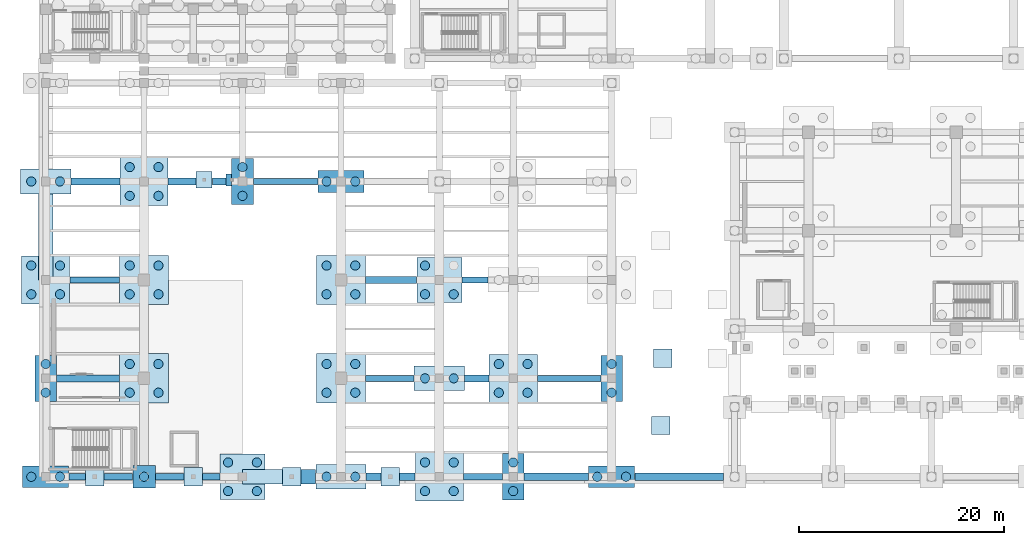
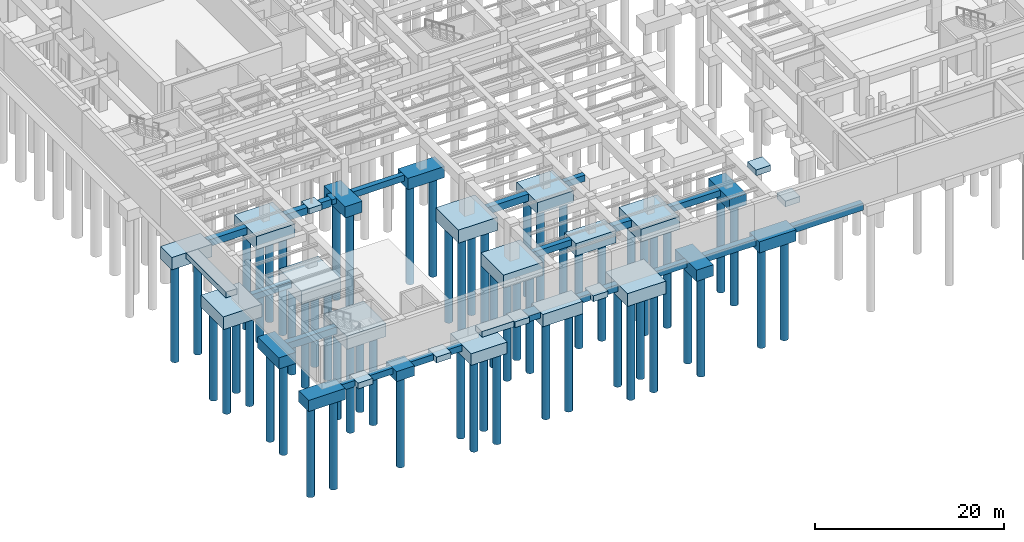
# One storey, part 1 of 56: 60 piles, 52 footings.
"""IFC4 building model written with IfcOpenShell, lengths in metres."""

from ifc_helpers import new_model, si_unit, direction, frame, origin, origin_2d, place, context, subcontext, project, spatial, rectangle, circle, extrude, material, material_profile, profile_set, type_object, element, save


model = new_model("IFC4")

# Units and contexts
model_context = context("Model", 3, precision=1e-05, world=origin(), true_north=direction((0.0, 1.0)))
body_context = subcontext(model_context, "Body", "Model", "MODEL_VIEW")
ifc_project = project(units=[si_unit("LENGTHUNIT", "METRE"), si_unit("AREAUNIT", "SQUARE_METRE"), si_unit("VOLUMEUNIT", "CUBIC_METRE"), si_unit("PLANEANGLEUNIT", "RADIAN"), si_unit("MASSUNIT", "GRAM", prefix="KILO")], contexts=[model_context])

# Site, building, storey
site_placement = place(None, origin())
site = spatial("IfcSite", under=ifc_project, at=site_placement, CompositionType="ELEMENT")
building_placement = place(site_placement, origin())
building = spatial("IfcBuilding", under=site, at=building_placement, Name="Mavantir Sound Aquarium", CompositionType="ELEMENT")
storey_placement = place(building_placement, frame((0.0, 0.0, -9.60009765625)))
storey = spatial("IfcBuildingStorey", under=building, at=storey_placement, Name="B2", CompositionType="ELEMENT", Elevation=-9.60009765625)

# Footings
ifc_material_1 = material(Name="Concrete C40/50", Category="concrete")
ifc_material_profile_1 = material_profile(ifc_material_1, rectangle(XDim=0.60009765625, YDim=0.800048828125, at=origin_2d()), Name="RC 600X800")
ifc_profile_set_1 = profile_set([ifc_material_profile_1], Name="Concrete C40/50")
footing_type_1 = type_object("IfcFootingType", Name="FB-01", PredefinedType="FOOTING_BEAM", material=ifc_profile_set_1)
footing_1_placement = place(storey_placement, frame((2.258056640625, 0.0, -1.599853515625), z_axis=(1.0, 0.0, 0.0), x_axis=(0.0, 1.0, 0.0)))
element("IfcFooting", 1, at=footing_1_placement, inside=storey, type_object=footing_type_1, Name="Foundation tie beam FB-01 1.1", PredefinedType="FOOTING_BEAM", context=body_context, shape_type="SweptSolid", body=[
    extrude(rectangle(XDim=0.60009765625, YDim=0.800048828125, at=origin_2d()), origin(), (0.0, 0.0, 1.0), 1.634033203125),
])
footing_2_placement = place(storey_placement, frame((5.7080078125, 0.0, -1.599853515625), z_axis=(1.0, 0.0, 0.0), x_axis=(0.0, 1.0, 0.0)))
element("IfcFooting", 2, at=footing_2_placement, inside=storey, type_object=footing_type_1, Name="Foundation tie beam FB-01 1.2", PredefinedType="FOOTING_BEAM", context=body_context, shape_type="SweptSolid", body=[
    extrude(rectangle(XDim=0.60009765625, YDim=0.800048828125, at=origin_2d()), origin(), (0.0, 0.0, 1.0), 2.783935546875),
])
footing_3_placement = place(storey_placement, frame((2.35791015625, 19.199951171875, -1.599853515625), z_axis=(1.0, 0.0, 0.0), x_axis=(0.0, 1.0, 0.0)))
element("IfcFooting", 3, at=footing_3_placement, inside=storey, type_object=footing_type_1, Name="Foundation tie beam FB-01 3", PredefinedType="FOOTING_BEAM", context=body_context, shape_type="SweptSolid", body=[
    extrude(rectangle(XDim=0.60009765625, YDim=0.800048828125, at=origin_2d()), origin(), (0.0, 0.0, 1.0), 4.833984375),
])
footing_4_placement = place(storey_placement, frame((10.7080078125, 0.0, -1.599853515625), z_axis=(1.0, 0.0, 0.0), x_axis=(0.0, 1.0, 0.0)))
element("IfcFooting", 4, at=footing_4_placement, inside=storey, type_object=footing_type_1, Name="Foundation tie beam FB-01 11.1", PredefinedType="FOOTING_BEAM", context=body_context, shape_type="SweptSolid", body=[
    extrude(rectangle(XDim=0.60009765625, YDim=0.800048828125, at=origin_2d()), origin(), (0.0, 0.0, 1.0), 2.783935546875),
])
footing_5_placement = place(storey_placement, frame((15.30810546875, 0.0, -1.599853515625), z_axis=(1.0, 0.0, 0.0), x_axis=(0.0, 1.0, 0.0)))
element("IfcFooting", 5, at=footing_5_placement, inside=storey, type_object=footing_type_1, Name="Foundation tie beam FB-01 11.2", PredefinedType="FOOTING_BEAM", context=body_context, shape_type="SweptSolid", body=[
    extrude(rectangle(XDim=0.60009765625, YDim=0.800048828125, at=origin_2d()), origin(), (0.0, 0.0, 1.0), 1.683837890625),
])
footing_6_placement = place(storey_placement, frame((20.258056640625, 28.800048828125, -0.39990234375), z_axis=(1.0, 0.0, 0.0), x_axis=(0.0, 1.0, 0.0)))
element("IfcFooting", 6, at=footing_6_placement, inside=storey, type_object=footing_type_1, Name="Foundation tie beam FB-01 19", PredefinedType="FOOTING_BEAM", context=body_context, shape_type="SweptSolid", body=[
    extrude(rectangle(XDim=0.60009765625, YDim=0.800048828125, at=origin_2d()), origin(), (0.0, 0.0, 1.0), 6.283935546875),
])
footing_7_placement = place(storey_placement, frame((31.2080078125, 9.60009765625, -0.39990234375), z_axis=(1.0, 0.0, 0.0), x_axis=(0.0, 1.0, 0.0)))
element("IfcFooting", 7, at=footing_7_placement, inside=storey, type_object=footing_type_1, Name="Foundation tie beam FB-01 27", PredefinedType="FOOTING_BEAM", context=body_context, shape_type="SweptSolid", body=[
    extrude(rectangle(XDim=0.60009765625, YDim=0.800048828125, at=origin_2d()), origin(), (0.0, 0.0, 1.0), 4.73388671875),
])
footing_8_placement = place(storey_placement, frame((40.758056640625, 0.0, -0.39990234375), z_axis=(1.0, 0.0, 0.0), x_axis=(0.0, 1.0, 0.0)))
element("IfcFooting", 8, at=footing_8_placement, inside=storey, type_object=footing_type_1, Name="Foundation tie beam FB-01 37", PredefinedType="FOOTING_BEAM", context=body_context, shape_type="SweptSolid", body=[
    extrude(rectangle(XDim=0.60009765625, YDim=0.800048828125, at=origin_2d()), origin(), (0.0, 0.0, 1.0), 3.7919921875),
])
footing_9_placement = place(storey_placement, frame((40.60791015625, 19.199951171875, -0.39990234375), z_axis=(1.0, 0.0, 0.0), x_axis=(0.0, 1.0, 0.0)))
element("IfcFooting", 9, at=footing_9_placement, inside=storey, type_object=footing_type_1, Name="Foundation tie beam FB-01 39", PredefinedType="FOOTING_BEAM", context=body_context, shape_type="SweptSolid", body=[
    extrude(rectangle(XDim=0.60009765625, YDim=0.800048828125, at=origin_2d()), origin(), (0.0, 0.0, 1.0), 2.5341796875),
])
footing_10_placement = place(storey_placement, frame((47.9580078125, 9.60009765625, -0.39990234375), z_axis=(1.0, 0.0, 0.0), x_axis=(0.0, 1.0, 0.0)))
element("IfcFooting", 10, at=footing_10_placement, inside=storey, type_object=footing_type_1, Name="Foundation tie beam FB-01 43", PredefinedType="FOOTING_BEAM", context=body_context, shape_type="SweptSolid", body=[
    extrude(rectangle(XDim=0.60009765625, YDim=0.800048828125, at=origin_2d()), origin(), (0.0, 0.0, 1.0), 6.19189453125),
])
ifc_material_profile_2 = material_profile(ifc_material_1, rectangle(XDim=0.699951171875, YDim=0.89990234375, at=origin_2d()), Name="RC 700X900")
ifc_profile_set_2 = profile_set([ifc_material_profile_2], Name="Concrete C40/50")
footing_type_2 = type_object("IfcFootingType", Name="FB-02", PredefinedType="FOOTING_BEAM", material=ifc_profile_set_2)
footing_11_placement = place(storey_placement, frame((1.05810546875, 9.60009765625, -1.64990234375), z_axis=(1.0, 0.0, 0.0), x_axis=(0.0, 1.0, 0.0)))
element("IfcFooting", 11, at=footing_11_placement, inside=storey, type_object=footing_type_2, Name="Foundation tie beam FB-02 2", PredefinedType="FOOTING_BEAM", context=body_context, shape_type="SweptSolid", body=[
    extrude(rectangle(XDim=0.699951171875, YDim=0.89990234375, at=origin_2d()), origin(), (0.0, 0.0, 1.0), 6.1337890625),
])
footing_12_placement = place(storey_placement, frame((2.4580078125, 28.800048828125, -0.449951171875), z_axis=(1.0, 0.0, 0.0), x_axis=(0.0, 1.0, 0.0)))
element("IfcFooting", 12, at=footing_12_placement, inside=storey, type_object=footing_type_2, Name="Foundation tie beam FB-02 4", PredefinedType="FOOTING_BEAM", context=body_context, shape_type="SweptSolid", body=[
    extrude(rectangle(XDim=0.699951171875, YDim=0.89990234375, at=origin_2d()), origin(), (0.0, 0.0, 1.0), 4.783935546875),
])
footing_13_placement = place(storey_placement, frame((11.9580078125, 28.800048828125, -0.449951171875), z_axis=(1.0, 0.0, 0.0), x_axis=(0.0, 1.0, 0.0)))
element("IfcFooting", 13, at=footing_13_placement, inside=storey, type_object=footing_type_2, Name="Foundation tie beam FB-02 12.1", PredefinedType="FOOTING_BEAM", context=body_context, shape_type="SweptSolid", body=[
    extrude(rectangle(XDim=0.699951171875, YDim=0.89990234375, at=origin_2d()), origin(), (0.0, 0.0, 1.0), 2.68408203125),
])
footing_14_placement = place(storey_placement, frame((16.258056640625, 28.800048828125, -0.449951171875), z_axis=(1.0, 0.0, 0.0), x_axis=(0.0, 1.0, 0.0)))
element("IfcFooting", 14, at=footing_14_placement, inside=storey, type_object=footing_type_2, Name="Foundation tie beam FB-02 12.2", PredefinedType="FOOTING_BEAM", context=body_context, shape_type="SweptSolid", body=[
    extrude(rectangle(XDim=0.699951171875, YDim=0.89990234375, at=origin_2d()), origin(), (0.0, 0.0, 1.0), 1.333984375),
])
footing_15_placement = place(storey_placement, frame((31.258056640625, 0.0, -0.449951171875), z_axis=(1.0, 0.0, 0.0), x_axis=(0.0, 1.0, 0.0)))
element("IfcFooting", 15, at=footing_15_placement, inside=storey, type_object=footing_type_2, Name="Foundation tie beam FB-02 26.1", PredefinedType="FOOTING_BEAM", context=body_context, shape_type="SweptSolid", body=[
    extrude(rectangle(XDim=0.699951171875, YDim=0.89990234375, at=origin_2d()), origin(), (0.0, 0.0, 1.0), 1.433837890625),
])
footing_16_placement = place(storey_placement, frame((34.508056640625, 0.0, -0.449951171875), z_axis=(1.0, 0.0, 0.0), x_axis=(0.0, 1.0, 0.0)))
element("IfcFooting", 16, at=footing_16_placement, inside=storey, type_object=footing_type_2, Name="Foundation tie beam FB-02 26.2", PredefinedType="FOOTING_BEAM", context=body_context, shape_type="SweptSolid", body=[
    extrude(rectangle(XDim=0.699951171875, YDim=0.89990234375, at=origin_2d()), origin(), (0.0, 0.0, 1.0), 1.533935546875),
])
footing_17_placement = place(storey_placement, frame((31.2080078125, 19.199951171875, -0.449951171875), z_axis=(1.0, 0.0, 0.0), x_axis=(0.0, 1.0, 0.0)))
element("IfcFooting", 17, at=footing_17_placement, inside=storey, type_object=footing_type_2, Name="Foundation tie beam FB-02 28", PredefinedType="FOOTING_BEAM", context=body_context, shape_type="SweptSolid", body=[
    extrude(rectangle(XDim=0.699951171875, YDim=0.89990234375, at=origin_2d()), origin(), (0.0, 0.0, 1.0), 4.98388671875),
])
footing_18_placement = place(storey_placement, frame((40.85791015625, 9.60009765625, -0.449951171875), z_axis=(1.0, 0.0, 0.0), x_axis=(0.0, 1.0, 0.0)))
element("IfcFooting", 18, at=footing_18_placement, inside=storey, type_object=footing_type_2, Name="Foundation tie beam FB-02 38", PredefinedType="FOOTING_BEAM", context=body_context, shape_type="SweptSolid", body=[
    extrude(rectangle(XDim=0.699951171875, YDim=0.89990234375, at=origin_2d()), origin(), (0.0, 0.0, 1.0), 2.384033203125),
])
footing_19_placement = place(storey_placement, frame((46.657958984375, 0.0, -0.449951171875), z_axis=(1.0, 0.0, 0.0), x_axis=(0.0, 1.0, 0.0)))
element("IfcFooting", 19, at=footing_19_placement, inside=storey, type_object=footing_type_2, Name="Foundation tie beam FB-02 42", PredefinedType="FOOTING_BEAM", context=body_context, shape_type="SweptSolid", body=[
    extrude(rectangle(XDim=0.699951171875, YDim=0.89990234375, at=origin_2d()), origin(), (0.0, 0.0, 1.0), 6.283935546875),
])
footing_20_placement = place(storey_placement, frame((57.4580078125, 0.0, -0.449951171875), z_axis=(1.0, 0.0, 0.0), x_axis=(0.0, 1.0, 0.0)))
element("IfcFooting", 20, at=footing_20_placement, inside=storey, type_object=footing_type_2, Name="Foundation tie beam FB-02 52", PredefinedType="FOOTING_BEAM", context=body_context, shape_type="SweptSolid", body=[
    extrude(rectangle(XDim=0.699951171875, YDim=0.89990234375, at=origin_2d()), origin(), (0.0, 0.0, 1.0), 8.64208984375),
])
footing_type_3 = type_object("IfcFootingType", Name="PC-02", PredefinedType="PILE_CAP", material=ifc_material_1)
for number, where, z_axis, x_axis, name in (
    (21, (19.199951171875, 0.0, -2.699951171875), (0.0, 0.0, 1.0), (1.0, 0.0, 0.0), "Pile cap PC-02 27"),
    (22, (38.39990234375, 19.199951171875, -1.5), (0.0, 0.0, 1.0), (1.0, 0.0, 0.0), "Pile cap PC-02 37"),
):
    element("IfcFooting", number, at=place(storey_placement, frame(where, z_axis=z_axis, x_axis=x_axis)), inside=storey, type_object=footing_type_3, Name=name, PredefinedType="PILE_CAP", context=body_context, shape_type="SweptSolid", body=[
        extrude(rectangle(XDim=4.39990234375, YDim=4.39990234375, at=origin_2d()), origin(), (0.0, 0.0, 1.0), 1.5),
    ])
footing_type_4 = type_object("IfcFootingType", Name="PC-05", PredefinedType="PILE_CAP", material=ifc_material_1)
for number, where, z_axis, x_axis, name in (
    (23, (9.60009765625, 9.60009765625, -2.89990234375), (0.0, 0.0, 1.0), (1.0, 0.0, 0.0), "Pile cap PC-05 23"),
    (24, (9.60009765625, 19.199951171875, -2.89990234375), (0.0, 0.0, 1.0), (1.0, 0.0, 0.0), "Pile cap PC-05 24"),
    (25, (28.800048828125, 9.60009765625, -1.69970703125), (0.0, 0.0, 1.0), (1.0, 0.0, 0.0), "Pile cap PC-05 31"),
    (26, (28.800048828125, 19.199951171875, -1.69970703125), (0.0, 0.0, 1.0), (1.0, 0.0, 0.0), "Pile cap PC-05 32"),
):
    element("IfcFooting", number, at=place(storey_placement, frame(where, z_axis=z_axis, x_axis=x_axis)), inside=storey, type_object=footing_type_4, Name=name, PredefinedType="PILE_CAP", context=body_context, shape_type="SweptSolid", body=[
        extrude(rectangle(XDim=4.800048828125, YDim=4.800048828125, at=origin_2d()), origin(), (0.0, 0.0, 1.0), 1.699951171875),
    ])
footing_type_5 = type_object("IfcFootingType", Name="PC-08", PredefinedType="PILE_CAP", material=ifc_material_1)
footing_21_placement = place(storey_placement, frame((9.60009765625, 0.0, -2.5), z_axis=(0.0, 0.0, 1.0), x_axis=(1.0, 0.0, 0.0)))
element("IfcFooting", 27, at=footing_21_placement, inside=storey, type_object=footing_type_5, Name="Pile cap PC-08 22", PredefinedType="PILE_CAP", context=body_context, shape_type="SweptSolid", body=[
    extrude(rectangle(XDim=2.199951171875, YDim=2.199951171875, at=origin_2d()), origin(), (0.0, 0.0, 1.0), 1.300048828125),
])
footing_type_6 = type_object("IfcFootingType", Name="PC-09", PredefinedType="PILE_CAP", material=ifc_material_1)
for number, where, z_axis, x_axis, name in (
    (28, (0.0, 0.0, -2.64990234375), (0.0, 0.0, 1.0), (1.0, 0.0, 0.0), "Pile cap PC-09 17"),
    (29, (28.800048828125, 28.800048828125, -1.44970703125), (0.0, 0.0, 1.0), (1.0, 0.0, 0.0), "Pile cap PC-09 33"),
    (30, (55.199951171875, 0.0, -1.44970703125), (0.0, 0.0, 1.0), (1.0, 0.0, 0.0), "Pile cap PC-09 45"),
):
    element("IfcFooting", number, at=place(storey_placement, frame(where, z_axis=z_axis, x_axis=x_axis)), inside=storey, type_object=footing_type_6, Name=name, PredefinedType="PILE_CAP", context=body_context, shape_type="SweptSolid", body=[
        extrude(rectangle(XDim=4.5, YDim=2.10009765625, at=origin_2d()), origin(), (0.0, 0.0, 1.0), 1.449951171875),
    ])
footing_type_7 = type_object("IfcFootingType", Name="PC-10", PredefinedType="PILE_CAP", material=ifc_material_1)
for number, where, z_axis, x_axis, name in (
    (31, (0.0, 9.60009765625, -2.64990234375), (0.0, 0.0, 1.0), (1.0, 0.0, 0.0), "Pile cap PC-10 18"),
    (32, (19.199951171875, 28.800048828125, -1.44970703125), (0.0, 0.0, 1.0), (1.0, 0.0, 0.0), "Pile cap PC-10 28"),
    (33, (45.60009765625, 0.0, -1.44970703125), (0.0, 0.0, 1.0), (1.0, 0.0, 0.0), "Pile cap PC-10 40"),
    (34, (55.199951171875, 9.60009765625, -1.44970703125), (0.0, 0.0, 1.0), (1.0, 0.0, 0.0), "Pile cap PC-10 46"),
):
    element("IfcFooting", number, at=place(storey_placement, frame(where, z_axis=z_axis, x_axis=x_axis)), inside=storey, type_object=footing_type_7, Name=name, PredefinedType="PILE_CAP", context=body_context, shape_type="SweptSolid", body=[
        extrude(rectangle(XDim=2.10009765625, YDim=4.5, at=origin_2d()), origin(), (0.0, 0.0, 1.0), 1.449951171875),
    ])
footing_type_8 = type_object("IfcFootingType", Name="PC-11", PredefinedType="PILE_CAP", material=ifc_material_1)
for number, where, z_axis, x_axis, name in (
    (35, (0.0, 19.199951171875, -2.849853515625), (0.0, 0.0, 1.0), (1.0, 0.0, 0.0), "Pile cap PC-11 19"),
    (36, (9.60009765625, 28.800048828125, -1.64990234375), (0.0, 0.0, 1.0), (1.0, 0.0, 0.0), "Pile cap PC-11 25"),
    (37, (38.39990234375, 0.0, -1.64990234375), (0.0, 0.0, 1.0), (1.0, 0.0, 0.0), "Pile cap PC-11 35"),
    (38, (45.60009765625, 9.60009765625, -1.64990234375), (0.0, 0.0, 1.0), (1.0, 0.0, 0.0), "Pile cap PC-11 41"),
):
    element("IfcFooting", number, at=place(storey_placement, frame(where, z_axis=z_axis, x_axis=x_axis)), inside=storey, type_object=footing_type_8, Name=name, PredefinedType="PILE_CAP", context=body_context, shape_type="SweptSolid", body=[
        extrude(rectangle(XDim=4.699951171875, YDim=4.699951171875, at=origin_2d()), origin(), (0.0, 0.0, 1.0), 1.64990234375),
    ])
ifc_material_2 = material(Name="Concrete C45/55", Category="concrete")
footing_type_9 = type_object("IfcFootingType", Name="PC-12", PredefinedType="PILE_CAP", material=ifc_material_2)
for number, where, z_axis, x_axis, name in (
    (39, (0.0, 28.800048828125, -1.599853515625), (0.0, 0.0, 1.0), (1.0, 0.0, 0.0), "Pile cap PC-12 20"),
    (40, (28.800048828125, 0.0, -1.599853515625), (0.0, 0.0, 1.0), (1.0, 0.0, 0.0), "Pile cap PC-12 30"),
    (41, (38.39990234375, 9.60009765625, -1.599853515625), (0.0, 0.0, 1.0), (1.0, 0.0, 0.0), "Pile cap PC-12 36"),
):
    element("IfcFooting", number, at=place(storey_placement, frame(where, z_axis=z_axis, x_axis=x_axis)), inside=storey, type_object=footing_type_9, Name=name, PredefinedType="PILE_CAP", context=body_context, shape_type="SweptSolid", body=[
        extrude(rectangle(XDim=4.89990234375, YDim=2.39990234375, at=origin_2d()), origin(), (0.0, 0.0, 1.0), 1.60009765625),
    ])
footing_type_10 = type_object("IfcFootingType", Name="PF-01", PredefinedType="PAD_FOOTING", material=ifc_material_1)
for number, where, z_axis, x_axis, name in (
    (42, (60.0, 5.0, -0.75), (0.0, 0.0, 1.0), (1.0, 0.0, 0.0), "Pad footing PF-01 1"),
    (43, (4.800048828125, 0.0, -1.949951171875), (0.0, 0.0, 1.0), (1.0, 0.0, 0.0), "Pilaster pad footing 1"),
    (44, (14.39990234375, 0.0, -1.949951171875), (0.0, 0.0, 1.0), (1.0, 0.0, 0.0), "Pilaster pad footing 2"),
    (45, (24.0, 0.0, -0.75), (0.0, 0.0, 1.0), (1.0, 0.0, 0.0), "Pilaster pad footing 3"),
    (46, (33.60009765625, 0.0, -0.75), (0.0, 0.0, 1.0), (1.0, 0.0, 0.0), "Pilaster pad footing 4"),
    (47, (60.199951171875, 11.550048828125, -0.75), (0.0, 0.0, 1.0), (1.0, 0.0, 0.0), "Vehicle ramp pier footing 3"),
):
    element("IfcFooting", number, at=place(storey_placement, frame(where, z_axis=z_axis, x_axis=x_axis)), inside=storey, type_object=footing_type_10, Name=name, PredefinedType="PAD_FOOTING", context=body_context, shape_type="SweptSolid", body=[
        extrude(rectangle(XDim=1.800048828125, YDim=1.800048828125, at=origin_2d()), origin(), (0.0, 0.0, 1.0), 0.75),
    ])
footing_type_11 = type_object("IfcFootingType", Name="PF-04", PredefinedType="PAD_FOOTING", material=ifc_material_1)
footing_22_placement = place(storey_placement, frame((15.449951171875, 28.949951171875, -0.69970703125), z_axis=(0.0, 0.0, 1.0), x_axis=(1.0, 0.0, 0.0)))
element("IfcFooting", 48, at=footing_22_placement, inside=storey, type_object=footing_type_11, Name="Bridge pier footing 2.1", PredefinedType="PAD_FOOTING", context=body_context, shape_type="SweptSolid", body=[
    extrude(rectangle(XDim=1.60009765625, YDim=1.60009765625, at=origin_2d()), origin(), (0.0, 0.0, 1.0), 0.699951171875),
])

# Piles
ifc_material_profile_3 = material_profile(ifc_material_1, circle(Radius=0.449951171875, at=origin_2d()), Name="PILE D900")
ifc_profile_set_3 = profile_set([ifc_material_profile_3], Name="Concrete C40/50")
pile_type = type_object("IfcPileType", Name="PILE-D900", PredefinedType="BORED", material=ifc_profile_set_3)
for number, where, z_axis, x_axis, name in (
    (49, (-1.39990234375, 0.0, -2.5498046875), (0.0, 0.0, -1.0), (1.0, 0.0, 0.0), "Bored pile P-900 124"),
    (50, (1.39990234375, 0.0, -2.5498046875), (0.0, 0.0, -1.0), (1.0, 0.0, 0.0), "Bored pile P-900 125"),
    (51, (0.0, 8.199951171875, -2.5498046875), (0.0, 0.0, -1.0), (1.0, 0.0, 0.0), "Bored pile P-900 126"),
    (52, (0.0, 11.0, -2.5498046875), (0.0, 0.0, -1.0), (1.0, 0.0, 0.0), "Bored pile P-900 127"),
):
    element("IfcPile", number, at=place(storey_placement, frame(where, z_axis=z_axis, x_axis=x_axis)), inside=storey, type_object=pile_type, Name=name, PredefinedType="BORED", context=body_context, shape_type="SweptSolid", body=[
        extrude(circle(Radius=0.449951171875, at=origin_2d()), origin(), (0.0, 0.0, 1.0), 11.85009765625),
    ])
for number, where, z_axis, x_axis, name in (
    (53, (-1.39990234375, 17.800048828125, -2.75), (0.0, 0.0, -1.0), (1.0, 0.0, 0.0), "Bored pile P-900 128"),
    (54, (1.39990234375, 17.800048828125, -2.75), (0.0, 0.0, -1.0), (1.0, 0.0, 0.0), "Bored pile P-900 129"),
    (55, (-1.39990234375, 20.60009765625, -2.75), (0.0, 0.0, -1.0), (1.0, 0.0, 0.0), "Bored pile P-900 130"),
    (56, (1.39990234375, 20.60009765625, -2.75), (0.0, 0.0, -1.0), (1.0, 0.0, 0.0), "Bored pile P-900 131"),
):
    element("IfcPile", number, at=place(storey_placement, frame(where, z_axis=z_axis, x_axis=x_axis)), inside=storey, type_object=pile_type, Name=name, PredefinedType="BORED", context=body_context, shape_type="SweptSolid", body=[
        extrude(circle(Radius=0.449951171875, at=origin_2d()), origin(), (0.0, 0.0, 1.0), 11.64990234375),
    ])
for number, where, z_axis, x_axis, name in (
    (57, (-1.39990234375, 28.800048828125, -1.5), (0.0, 0.0, -1.0), (1.0, 0.0, 0.0), "Bored pile P-900 132"),
    (58, (1.39990234375, 28.800048828125, -1.5), (0.0, 0.0, -1.0), (1.0, 0.0, 0.0), "Bored pile P-900 133"),
):
    element("IfcPile", number, at=place(storey_placement, frame(where, z_axis=z_axis, x_axis=x_axis)), inside=storey, type_object=pile_type, Name=name, PredefinedType="BORED", context=body_context, shape_type="SweptSolid", body=[
        extrude(circle(Radius=0.449951171875, at=origin_2d()), origin(), (0.0, 0.0, 1.0), 12.89990234375),
    ])
pile_placement = place(storey_placement, frame((9.60009765625, 0.0, -2.39990234375), z_axis=(0.0, 0.0, -1.0), x_axis=(1.0, 0.0, 0.0)))
element("IfcPile", 59, at=pile_placement, inside=storey, type_object=pile_type, Name="Bored pile P-900 136", PredefinedType="BORED", context=body_context, shape_type="SweptSolid", body=[
    extrude(circle(Radius=0.449951171875, at=origin_2d()), origin(), (0.0, 0.0, 1.0), 12.0),
])
for number, where, z_axis, x_axis, name in (
    (60, (8.199951171875, 8.199951171875, -2.7998046875), (0.0, 0.0, -1.0), (1.0, 0.0, 0.0), "Bored pile P-900 137"),
    (61, (11.0, 8.199951171875, -2.7998046875), (0.0, 0.0, -1.0), (1.0, 0.0, 0.0), "Bored pile P-900 138"),
    (62, (8.199951171875, 11.0, -2.7998046875), (0.0, 0.0, -1.0), (1.0, 0.0, 0.0), "Bored pile P-900 139"),
    (63, (11.0, 11.0, -2.7998046875), (0.0, 0.0, -1.0), (1.0, 0.0, 0.0), "Bored pile P-900 140"),
    (64, (8.199951171875, 17.800048828125, -2.7998046875), (0.0, 0.0, -1.0), (1.0, 0.0, 0.0), "Bored pile P-900 141"),
    (65, (11.0, 17.800048828125, -2.7998046875), (0.0, 0.0, -1.0), (1.0, 0.0, 0.0), "Bored pile P-900 142"),
    (66, (8.199951171875, 20.60009765625, -2.7998046875), (0.0, 0.0, -1.0), (1.0, 0.0, 0.0), "Bored pile P-900 143"),
    (67, (11.0, 20.60009765625, -2.7998046875), (0.0, 0.0, -1.0), (1.0, 0.0, 0.0), "Bored pile P-900 144"),
):
    element("IfcPile", number, at=place(storey_placement, frame(where, z_axis=z_axis, x_axis=x_axis)), inside=storey, type_object=pile_type, Name=name, PredefinedType="BORED", context=body_context, shape_type="SweptSolid", body=[
        extrude(circle(Radius=0.449951171875, at=origin_2d()), origin(), (0.0, 0.0, 1.0), 11.60009765625),
    ])
for number, where, z_axis, x_axis, name in (
    (68, (8.199951171875, 27.39990234375, -1.5498046875), (0.0, 0.0, -1.0), (1.0, 0.0, 0.0), "Bored pile P-900 145"),
    (69, (11.0, 27.39990234375, -1.5498046875), (0.0, 0.0, -1.0), (1.0, 0.0, 0.0), "Bored pile P-900 146"),
    (70, (8.199951171875, 30.199951171875, -1.5498046875), (0.0, 0.0, -1.0), (1.0, 0.0, 0.0), "Bored pile P-900 147"),
    (71, (11.0, 30.199951171875, -1.5498046875), (0.0, 0.0, -1.0), (1.0, 0.0, 0.0), "Bored pile P-900 148"),
):
    element("IfcPile", number, at=place(storey_placement, frame(where, z_axis=z_axis, x_axis=x_axis)), inside=storey, type_object=pile_type, Name=name, PredefinedType="BORED", context=body_context, shape_type="SweptSolid", body=[
        extrude(circle(Radius=0.449951171875, at=origin_2d()), origin(), (0.0, 0.0, 1.0), 12.85009765625),
    ])
for number, where, z_axis, x_axis, name in (
    (72, (17.800048828125, -1.39990234375, -2.599853515625), (0.0, 0.0, -1.0), (1.0, 0.0, 0.0), "Bored pile P-900 151"),
    (73, (20.60009765625, -1.39990234375, -2.599853515625), (0.0, 0.0, -1.0), (1.0, 0.0, 0.0), "Bored pile P-900 152"),
    (74, (17.800048828125, 1.39990234375, -2.599853515625), (0.0, 0.0, -1.0), (1.0, 0.0, 0.0), "Bored pile P-900 153"),
    (75, (20.60009765625, 1.39990234375, -2.599853515625), (0.0, 0.0, -1.0), (1.0, 0.0, 0.0), "Bored pile P-900 154"),
):
    element("IfcPile", number, at=place(storey_placement, frame(where, z_axis=z_axis, x_axis=x_axis)), inside=storey, type_object=pile_type, Name=name, PredefinedType="BORED", context=body_context, shape_type="SweptSolid", body=[
        extrude(circle(Radius=0.449951171875, at=origin_2d()), origin(), (0.0, 0.0, 1.0), 11.800048828125),
    ])
for number, where, z_axis, x_axis, name in (
    (76, (19.199951171875, 27.39990234375, -1.349853515625), (0.0, 0.0, -1.0), (1.0, 0.0, 0.0), "Bored pile P-900 155"),
    (77, (19.199951171875, 30.199951171875, -1.349853515625), (0.0, 0.0, -1.0), (1.0, 0.0, 0.0), "Bored pile P-900 156"),
):
    element("IfcPile", number, at=place(storey_placement, frame(where, z_axis=z_axis, x_axis=x_axis)), inside=storey, type_object=pile_type, Name=name, PredefinedType="BORED", context=body_context, shape_type="SweptSolid", body=[
        extrude(circle(Radius=0.449951171875, at=origin_2d()), origin(), (0.0, 0.0, 1.0), 13.050048828125),
    ])
for number, where, z_axis, x_axis, name in (
    (78, (27.39990234375, 0.0, -1.5), (0.0, 0.0, -1.0), (1.0, 0.0, 0.0), "Bored pile P-900 159"),
    (79, (30.199951171875, 0.0, -1.5), (0.0, 0.0, -1.0), (1.0, 0.0, 0.0), "Bored pile P-900 160"),
):
    element("IfcPile", number, at=place(storey_placement, frame(where, z_axis=z_axis, x_axis=x_axis)), inside=storey, type_object=pile_type, Name=name, PredefinedType="BORED", context=body_context, shape_type="SweptSolid", body=[
        extrude(circle(Radius=0.449951171875, at=origin_2d()), origin(), (0.0, 0.0, 1.0), 12.89990234375),
    ])
for number, where, z_axis, x_axis, name in (
    (80, (27.39990234375, 8.199951171875, -1.599853515625), (0.0, 0.0, -1.0), (1.0, 0.0, 0.0), "Bored pile P-900 161"),
    (81, (30.199951171875, 8.199951171875, -1.599853515625), (0.0, 0.0, -1.0), (1.0, 0.0, 0.0), "Bored pile P-900 162"),
    (82, (27.39990234375, 11.0, -1.599853515625), (0.0, 0.0, -1.0), (1.0, 0.0, 0.0), "Bored pile P-900 163"),
    (83, (30.199951171875, 11.0, -1.599853515625), (0.0, 0.0, -1.0), (1.0, 0.0, 0.0), "Bored pile P-900 164"),
    (84, (27.39990234375, 17.800048828125, -1.599853515625), (0.0, 0.0, -1.0), (1.0, 0.0, 0.0), "Bored pile P-900 165"),
    (85, (30.199951171875, 17.800048828125, -1.599853515625), (0.0, 0.0, -1.0), (1.0, 0.0, 0.0), "Bored pile P-900 166"),
    (86, (27.39990234375, 20.60009765625, -1.599853515625), (0.0, 0.0, -1.0), (1.0, 0.0, 0.0), "Bored pile P-900 167"),
    (87, (30.199951171875, 20.60009765625, -1.599853515625), (0.0, 0.0, -1.0), (1.0, 0.0, 0.0), "Bored pile P-900 168"),
):
    element("IfcPile", number, at=place(storey_placement, frame(where, z_axis=z_axis, x_axis=x_axis)), inside=storey, type_object=pile_type, Name=name, PredefinedType="BORED", context=body_context, shape_type="SweptSolid", body=[
        extrude(circle(Radius=0.449951171875, at=origin_2d()), origin(), (0.0, 0.0, 1.0), 12.800048828125),
    ])
for number, where, z_axis, x_axis, name in (
    (88, (27.39990234375, 28.800048828125, -1.349853515625), (0.0, 0.0, -1.0), (1.0, 0.0, 0.0), "Bored pile P-900 169"),
    (89, (30.199951171875, 28.800048828125, -1.349853515625), (0.0, 0.0, -1.0), (1.0, 0.0, 0.0), "Bored pile P-900 170"),
):
    element("IfcPile", number, at=place(storey_placement, frame(where, z_axis=z_axis, x_axis=x_axis)), inside=storey, type_object=pile_type, Name=name, PredefinedType="BORED", context=body_context, shape_type="SweptSolid", body=[
        extrude(circle(Radius=0.449951171875, at=origin_2d()), origin(), (0.0, 0.0, 1.0), 13.050048828125),
    ])
for number, where, z_axis, x_axis, name in (
    (90, (37.0, -1.39990234375, -1.5498046875), (0.0, 0.0, -1.0), (1.0, 0.0, 0.0), "Bored pile P-900 173"),
    (91, (39.800048828125, -1.39990234375, -1.5498046875), (0.0, 0.0, -1.0), (1.0, 0.0, 0.0), "Bored pile P-900 174"),
    (92, (37.0, 1.39990234375, -1.5498046875), (0.0, 0.0, -1.0), (1.0, 0.0, 0.0), "Bored pile P-900 175"),
    (93, (39.800048828125, 1.39990234375, -1.5498046875), (0.0, 0.0, -1.0), (1.0, 0.0, 0.0), "Bored pile P-900 176"),
):
    element("IfcPile", number, at=place(storey_placement, frame(where, z_axis=z_axis, x_axis=x_axis)), inside=storey, type_object=pile_type, Name=name, PredefinedType="BORED", context=body_context, shape_type="SweptSolid", body=[
        extrude(circle(Radius=0.449951171875, at=origin_2d()), origin(), (0.0, 0.0, 1.0), 12.85009765625),
    ])
for number, where, z_axis, x_axis, name in (
    (94, (37.0, 9.60009765625, -1.5), (0.0, 0.0, -1.0), (1.0, 0.0, 0.0), "Bored pile P-900 177"),
    (95, (39.800048828125, 9.60009765625, -1.5), (0.0, 0.0, -1.0), (1.0, 0.0, 0.0), "Bored pile P-900 178"),
):
    element("IfcPile", number, at=place(storey_placement, frame(where, z_axis=z_axis, x_axis=x_axis)), inside=storey, type_object=pile_type, Name=name, PredefinedType="BORED", context=body_context, shape_type="SweptSolid", body=[
        extrude(circle(Radius=0.449951171875, at=origin_2d()), origin(), (0.0, 0.0, 1.0), 12.89990234375),
    ])
for number, where, z_axis, x_axis, name in (
    (96, (37.0, 17.800048828125, -1.39990234375), (0.0, 0.0, -1.0), (1.0, 0.0, 0.0), "Bored pile P-900 179"),
    (97, (39.800048828125, 17.800048828125, -1.39990234375), (0.0, 0.0, -1.0), (1.0, 0.0, 0.0), "Bored pile P-900 180"),
    (98, (37.0, 20.60009765625, -1.39990234375), (0.0, 0.0, -1.0), (1.0, 0.0, 0.0), "Bored pile P-900 181"),
):
    element("IfcPile", number, at=place(storey_placement, frame(where, z_axis=z_axis, x_axis=x_axis)), inside=storey, type_object=pile_type, Name=name, PredefinedType="BORED", context=body_context, shape_type="SweptSolid", body=[
        extrude(circle(Radius=0.449951171875, at=origin_2d()), origin(), (0.0, 0.0, 1.0), 13.0),
    ])
for number, where, z_axis, x_axis, name in (
    (99, (45.60009765625, -1.39990234375, -1.349853515625), (0.0, 0.0, -1.0), (1.0, 0.0, 0.0), "Bored pile P-900 185"),
    (100, (45.60009765625, 1.39990234375, -1.349853515625), (0.0, 0.0, -1.0), (1.0, 0.0, 0.0), "Bored pile P-900 186"),
):
    element("IfcPile", number, at=place(storey_placement, frame(where, z_axis=z_axis, x_axis=x_axis)), inside=storey, type_object=pile_type, Name=name, PredefinedType="BORED", context=body_context, shape_type="SweptSolid", body=[
        extrude(circle(Radius=0.449951171875, at=origin_2d()), origin(), (0.0, 0.0, 1.0), 13.050048828125),
    ])
for number, where, z_axis, x_axis, name in (
    (101, (44.199951171875, 8.199951171875, -1.5498046875), (0.0, 0.0, -1.0), (1.0, 0.0, 0.0), "Bored pile P-900 187"),
    (102, (47.0, 8.199951171875, -1.5498046875), (0.0, 0.0, -1.0), (1.0, 0.0, 0.0), "Bored pile P-900 188"),
    (103, (44.199951171875, 11.0, -1.5498046875), (0.0, 0.0, -1.0), (1.0, 0.0, 0.0), "Bored pile P-900 189"),
    (104, (47.0, 11.0, -1.5498046875), (0.0, 0.0, -1.0), (1.0, 0.0, 0.0), "Bored pile P-900 190"),
):
    element("IfcPile", number, at=place(storey_placement, frame(where, z_axis=z_axis, x_axis=x_axis)), inside=storey, type_object=pile_type, Name=name, PredefinedType="BORED", context=body_context, shape_type="SweptSolid", body=[
        extrude(circle(Radius=0.449951171875, at=origin_2d()), origin(), (0.0, 0.0, 1.0), 12.85009765625),
    ])
for number, where, z_axis, x_axis, name in (
    (105, (53.800048828125, 0.0, -1.349853515625), (0.0, 0.0, -1.0), (1.0, 0.0, 0.0), "Bored pile P-900 198"),
    (106, (56.60009765625, 0.0, -1.349853515625), (0.0, 0.0, -1.0), (1.0, 0.0, 0.0), "Bored pile P-900 199"),
    (107, (55.199951171875, 8.199951171875, -1.349853515625), (0.0, 0.0, -1.0), (1.0, 0.0, 0.0), "Bored pile P-900 200"),
    (108, (55.199951171875, 11.0, -1.349853515625), (0.0, 0.0, -1.0), (1.0, 0.0, 0.0), "Bored pile P-900 201"),
):
    element("IfcPile", number, at=place(storey_placement, frame(where, z_axis=z_axis, x_axis=x_axis)), inside=storey, type_object=pile_type, Name=name, PredefinedType="BORED", context=body_context, shape_type="SweptSolid", body=[
        extrude(circle(Radius=0.449951171875, at=origin_2d()), origin(), (0.0, 0.0, 1.0), 13.050048828125),
    ])

# Footings
ifc_material_profile_4 = material_profile(ifc_material_1, rectangle(XDim=1.199951171875, YDim=0.64990234375, at=origin_2d()), Name="RC 1200X650")
ifc_profile_set_4 = profile_set([ifc_material_profile_4], Name="Concrete C40/50")
footing_type_12 = type_object("IfcFootingType", Name="SF-01", PredefinedType="STRIP_FOOTING", material=ifc_profile_set_4)
footing_23_placement = place(storey_placement, frame((17.60009765625, 28.949951171875, -0.324951171875), z_axis=(1.0, 0.0, 0.0), x_axis=(0.0, 1.0, 0.0)))
element("IfcFooting", 109, at=footing_23_placement, inside=storey, type_object=footing_type_12, Name="Bridge pier strip footing 2.3", PredefinedType="STRIP_FOOTING", context=body_context, shape_type="SweptSolid", body=[
    extrude(rectangle(XDim=1.199951171875, YDim=0.64990234375, at=origin_2d()), origin(), (0.0, 0.0, 1.0), 0.5419921875),
])
ifc_material_profile_5 = material_profile(ifc_material_1, rectangle(XDim=1.39990234375, YDim=0.75, at=origin_2d()), Name="RC 1400X750")
ifc_profile_set_5 = profile_set([ifc_material_profile_5], Name="Concrete C40/50")
footing_type_13 = type_object("IfcFootingType", Name="SF-02", PredefinedType="STRIP_FOOTING", material=ifc_profile_set_5)
footing_24_placement = place(storey_placement, frame((0.0, 19.199951171875, -0.375), z_axis=(0.0, 1.0, 0.0), x_axis=(-1.0, 0.0, 0.0)))
element("IfcFooting", 110, at=footing_24_placement, inside=storey, type_object=footing_type_13, Name="Perimeter retaining wall strip footing 1", PredefinedType="STRIP_FOOTING", context=body_context, shape_type="SweptSolid", body=[
    extrude(rectangle(XDim=1.39990234375, YDim=0.75, at=origin_2d()), origin(), (0.0, 0.0, 1.0), 8.39208984375),
])
footing_25_placement = place(storey_placement, frame((26.342041015625, 0.0, -0.375), z_axis=(-1.0, 0.0, 0.0), x_axis=(0.0, -1.0, 0.0)))
element("IfcFooting", 111, at=footing_25_placement, inside=storey, type_object=footing_type_13, Name="Perimeter retaining wall strip footing 43", PredefinedType="STRIP_FOOTING", context=body_context, shape_type="SweptSolid", body=[
    extrude(rectangle(XDim=1.39990234375, YDim=0.75, at=origin_2d()), origin(), (0.0, 0.0, 1.0), 1.43408203125),
])
footing_26_placement = place(storey_placement, frame((23.092041015625, 0.0, -0.375), z_axis=(-1.0, 0.0, 0.0), x_axis=(0.0, -1.0, 0.0)))
element("IfcFooting", 112, at=footing_26_placement, inside=storey, type_object=footing_type_13, Name="Perimeter retaining wall strip footing 44", PredefinedType="STRIP_FOOTING", context=body_context, shape_type="SweptSolid", body=[
    extrude(rectangle(XDim=1.39990234375, YDim=0.75, at=origin_2d()), origin(), (0.0, 0.0, 1.0), 3.89208984375),
])

save(model, "model.ifc")
